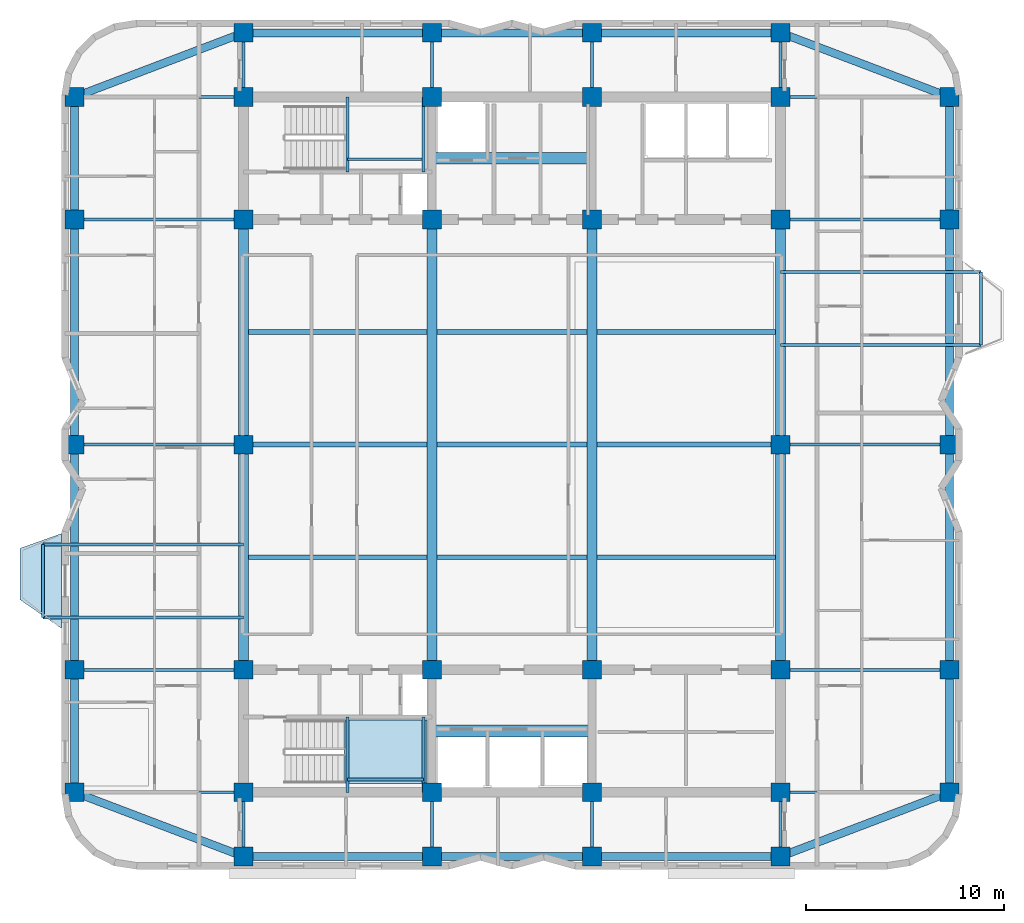
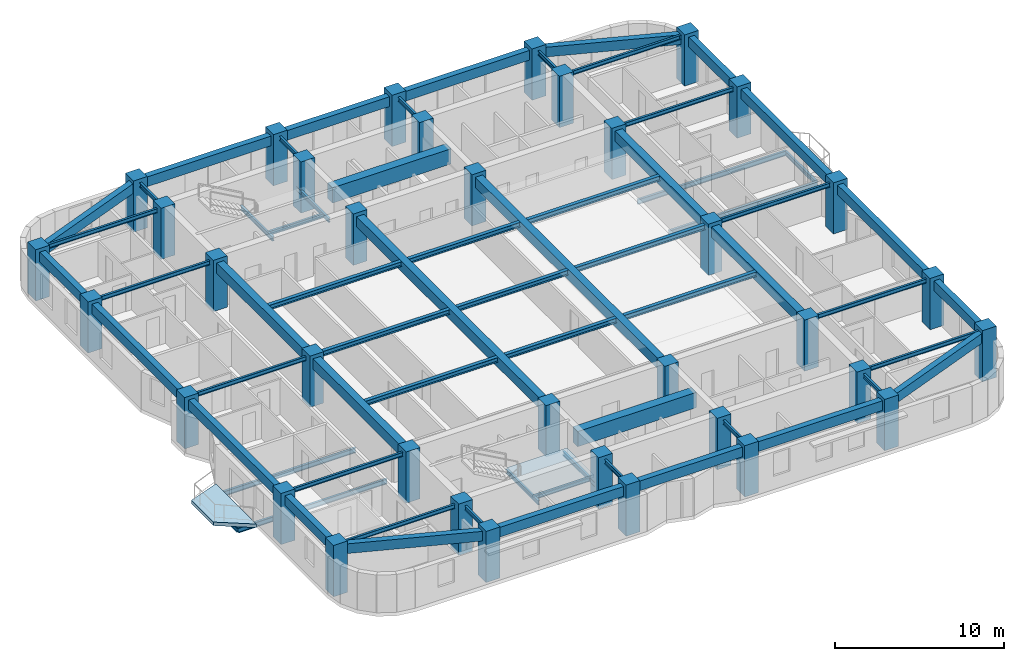
# One storey, part 1 of 9: 65 beams, 36 columns, 2 slabs, 1 element without a shape of its own.
"""IFC4 building model written with IfcOpenShell, lengths in metres."""

import ifcopenshell
import ifcopenshell.guid

model = None  # the IFC model being written
_history = None  # IfcOwnerHistory: only IFC2X3 demands one
_inside = {}  # id of a spatial element -> (the spatial element, [elements in it])
_under = {}  # id of a project, library or spatial element -> (it, [spatial elements below it])
_declared = {}  # id of a project -> (the project, [libraries it declares])
_typed = {}  # id of a type object -> (the type object, [elements of that type])
_made_of = {}  # id of a material, layer set ... -> (it, [elements and type objects made of it])


def new_model(schema):
    """Start an empty IFC model of exactly this schema.

    Asked for "IFC4X3", IfcOpenShell would pick the latest addendum, in which some entities
    have other attributes; the version numbers below select the first issue.
    IFC2X3 requires an IfcOwnerHistory on every rooted entity: one is made here for all.
    """
    global model, _history
    if schema == "IFC4X3":
        model = ifcopenshell.file(schema_version=(4, 3, 0, 0))
    else:
        model = ifcopenshell.file(schema=schema)
    _inside.clear()
    _under.clear()
    _declared.clear()
    _typed.clear()
    _made_of.clear()
    _history = None
    if model.schema == "IFC2X3":
        org = make("IfcOrganization", Name="unknown")
        user = make(
            "IfcPersonAndOrganization",
            ThePerson=make("IfcPerson", FamilyName="unknown"),
            TheOrganization=org,
        )
        app = make(
            "IfcApplication",
            ApplicationDeveloper=org,
            Version="unknown",
            ApplicationFullName="unknown",
            ApplicationIdentifier="unknown",
        )
        _history = make(
            "IfcOwnerHistory",
            OwningUser=user,
            OwningApplication=app,
            ChangeAction="ADDED",
            CreationDate=0,
        )
    return model


def make(cls, **values):
    """One entity of the class cls with the attributes given. An attribute that is None is left unset."""
    return model.create_entity(
        cls, **{name: value for name, value in values.items() if value is not None}
    )


def rooted(cls, **values):
    """An entity with a GlobalId (a new one), such as an element, a storey or a relation."""
    return make(cls, GlobalId=ifcopenshell.guid.new(), OwnerHistory=_history, **values)


def si_unit(unit_type, name, prefix=None):
    """IfcSIUnit, for example si_unit("LENGTHUNIT", "METRE", prefix="MILLI")."""
    return make("IfcSIUnit", UnitType=unit_type, Prefix=prefix, Name=name)


def assignment(units):
    """IfcUnitAssignment: the units of a project."""
    return None if units is None else make("IfcUnitAssignment", Units=units)


def point(xyz):
    """IfcCartesianPoint."""
    return None if xyz is None else make("IfcCartesianPoint", Coordinates=xyz)


def direction(xyz):
    """IfcDirection."""
    return None if xyz is None else make("IfcDirection", DirectionRatios=xyz)


def frame(location, z_axis=None, x_axis=None):
    """IfcAxis2Placement3D, a coordinate frame: its origin and axes. An axis left out is left unset."""
    return make(
        "IfcAxis2Placement3D",
        Location=point(location),
        Axis=direction(z_axis),
        RefDirection=direction(x_axis),
    )


def frame_2d(location, x_axis=None):
    """IfcAxis2Placement2D, a coordinate frame in the plane: its origin and x axis."""
    return make(
        "IfcAxis2Placement2D", Location=point(location), RefDirection=direction(x_axis)
    )


def origin():
    """The frame at (0, 0, 0) with its axes left unset."""
    return frame((0.0, 0.0, 0.0))


def origin_2d():
    """The frame at (0, 0) in the plane with its x axis left unset."""
    return frame_2d((0.0, 0.0))


def place(relative_to, where):
    """IfcLocalPlacement: puts the frame where relative to a parent placement (None: the world)."""
    return make(
        "IfcLocalPlacement", PlacementRelTo=relative_to, RelativePlacement=where
    )


def context(
    kind, dimensions, precision=None, world=None, true_north=None, identifier=None
):
    """IfcGeometricRepresentationContext, for example the 3D "Model" context."""
    return make(
        "IfcGeometricRepresentationContext",
        ContextIdentifier=identifier,
        ContextType=kind,
        CoordinateSpaceDimension=dimensions,
        Precision=precision,
        WorldCoordinateSystem=world,
        TrueNorth=true_north,
    )


def subcontext(parent, identifier, kind, view, scale=None):
    """IfcGeometricRepresentationSubContext, for example "Body" below "Model"."""
    return make(
        "IfcGeometricRepresentationSubContext",
        ContextIdentifier=identifier,
        ContextType=kind,
        ParentContext=parent,
        TargetScale=scale,
        TargetView=view,
    )


def project(units=None, contexts=None):
    """IfcProject with its units and contexts."""
    return rooted(
        "IfcProject",
        Name="project",
        RepresentationContexts=contexts,
        UnitsInContext=assignment(units),
    )


def spatial(cls, under=None, at=None, **own):
    """A site, building, storey or space (cls), placed at a placement, below another one or the project."""
    s = rooted(cls, ObjectPlacement=at, **own)
    if under is not None:
        _under.setdefault(under.id(), (under, []))[1].append(s)
    return s


def polyline(points):
    """IfcPolyline through the points."""
    return make("IfcPolyline", Points=[point(p) for p in points])


def profile(cls, at=None, kind="AREA", **sizes):
    """A parametric profile (cls). Its sizes go by their IFC names, for example OverallWidth=200.0."""
    return make(cls, ProfileType=kind, Position=at, **sizes)


def rectangle(**sizes):
    """IfcRectangleProfileDef."""
    return profile("IfcRectangleProfileDef", **sizes)


def i_section(**sizes):
    """IfcIShapeProfileDef."""
    return profile("IfcIShapeProfileDef", **sizes)


def outline(outer, holes=None, kind="AREA"):
    """IfcArbitraryClosedProfileDef: a profile drawn as a closed curve; with holes, ...WithVoids."""
    if holes is None:
        return make("IfcArbitraryClosedProfileDef", ProfileType=kind, OuterCurve=outer)
    return make(
        "IfcArbitraryProfileDefWithVoids",
        ProfileType=kind,
        OuterCurve=outer,
        InnerCurves=holes,
    )


def extrude(swept, where, along, depth):
    """IfcExtrudedAreaSolid: the profile swept, set in the frame where, extruded along a direction by depth."""
    return make(
        "IfcExtrudedAreaSolid",
        SweptArea=swept,
        Position=where,
        ExtrudedDirection=direction(along),
        Depth=depth,
    )


def shape(context_of_items, identifier, shape_type, items):
    """IfcShapeRepresentation: the items that make up one representation, for example the "Body"."""
    return make(
        "IfcShapeRepresentation",
        ContextOfItems=context_of_items,
        RepresentationIdentifier=identifier,
        RepresentationType=shape_type,
        Items=items,
    )


def material(Name=None, Category=None):
    """IfcMaterial."""
    return make("IfcMaterial", Name=Name, Category=Category)


def layer(
    of_material, thickness, ventilated=None, Name=None, Category=None, Priority=None
):
    """IfcMaterialLayer: one layer of a wall or slab, of a material (None: an air gap)."""
    return make(
        "IfcMaterialLayer",
        Material=of_material,
        LayerThickness=thickness,
        IsVentilated=ventilated,
        Name=Name,
        Category=Category,
        Priority=Priority,
    )


def layer_set(layers, Name=None):
    """IfcMaterialLayerSet."""
    return make("IfcMaterialLayerSet", MaterialLayers=layers, LayerSetName=Name)


def material_profile(
    of_material, cross_section, Name=None, Category=None, Priority=None
):
    """IfcMaterialProfile: a cross section and its material."""
    return make(
        "IfcMaterialProfile",
        Name=Name,
        Material=of_material,
        Profile=cross_section,
        Priority=Priority,
        Category=Category,
    )


def profile_set(profiles, Name=None, composite=None):
    """IfcMaterialProfileSet."""
    return make(
        "IfcMaterialProfileSet",
        Name=Name,
        MaterialProfiles=profiles,
        CompositeProfile=composite,
    )


def made_of(thing, what):
    """Note that an element or type object is made of a material, layer set ...; save() writes the relation."""
    if what is not None:
        _made_of.setdefault(what.id(), (what, []))[1].append(thing)
    return thing


def type_object(cls, material=None, **own):
    """A type object (cls), such as IfcWallType, which elements share."""
    return made_of(rooted(cls, **own), material)


def element(
    cls,
    number,
    at=None,
    inside=None,
    cuts=None,
    type_object=None,
    material=None,
    context=None,
    identifier="Body",
    shape_type=None,
    held_by="IfcProductDefinitionShape",
    body=None,
    shapes=None,
    **own,
):
    """One element of the class cls, such as IfcWall. Its Tag is "e" and its number.

    at: its placement. inside: the storey or other place that contains it. cuts: it is an
    opening in that element (IfcRelVoidsElement). A single representation is given by context,
    identifier, shape_type and body (its items); several are given by shapes. held_by: the class
    of the entity that holds the representations. save() writes the other relations.
    """
    e = rooted(cls, Tag="e%d" % number, ObjectPlacement=at, **own)
    if body is not None:
        shapes = [shape(context, identifier, shape_type, body)]
    if shapes is not None:
        e.Representation = make(held_by, Representations=shapes)
    if inside is not None:
        _inside.setdefault(inside.id(), (inside, []))[1].append(e)
    if cuts is not None:
        rooted(
            "IfcRelVoidsElement", RelatingBuildingElement=cuts, RelatedOpeningElement=e
        )
    if type_object is not None:
        _typed.setdefault(type_object.id(), (type_object, []))[1].append(e)
    return made_of(e, material)


def aggregate(whole, parts):
    """IfcRelAggregates: a whole, such as a stair, and the parts it consists of."""
    return rooted("IfcRelAggregates", RelatingObject=whole, RelatedObjects=parts)


def save(model, path):
    """Write the relations noted so far, then the file.

    IfcRelAggregates (storeys below a building ...), IfcRelContainedInSpatialStructure (elements
    in a storey), IfcRelDefinesByType, IfcRelAssociatesMaterial and IfcRelDeclares: one each for
    every whole, place, type object, material and project.
    """
    for whole, parts in _under.values():
        aggregate(whole, parts)
    for where, things in _inside.values():
        rooted(
            "IfcRelContainedInSpatialStructure",
            RelatedElements=things,
            RelatingStructure=where,
        )
    for kind, things in _typed.values():
        rooted("IfcRelDefinesByType", RelatedObjects=things, RelatingType=kind)
    for what, things in _made_of.values():
        rooted("IfcRelAssociatesMaterial", RelatedObjects=things, RelatingMaterial=what)
    for by, libraries in _declared.values():
        rooted("IfcRelDeclares", RelatingContext=by, RelatedDefinitions=libraries)
    model.write(path)


model = new_model("IFC4")

# Units and contexts
model_context = context("Model", 3, precision=1e-05, world=origin(), true_north=direction((0.0, 1.0)))
body_context = subcontext(model_context, "Body", "Model", "MODEL_VIEW")
ifc_project = project(units=[si_unit("LENGTHUNIT", "METRE"), si_unit("AREAUNIT", "SQUARE_METRE"), si_unit("VOLUMEUNIT", "CUBIC_METRE"), si_unit("PLANEANGLEUNIT", "RADIAN"), si_unit("MASSUNIT", "GRAM", prefix="KILO")], contexts=[model_context])

# Site, building, storey
site_placement = place(None, origin())
site = spatial("IfcSite", under=ifc_project, at=site_placement, CompositionType="ELEMENT")
building_placement = place(site_placement, origin())
building = spatial("IfcBuilding", under=site, at=building_placement, Name="Svetorya Sky Lyceum", CompositionType="ELEMENT")
storey_placement = place(building_placement, frame((0.0, 0.0, 155.199951171875)))
storey = spatial("IfcBuildingStorey", under=building, at=storey_placement, Name="L38", CompositionType="ELEMENT", Elevation=155.199951171875)

# Columns
ifc_material_1 = material(Name="Concrete C50/60", Category="concrete")
ifc_material_profile_1 = material_profile(ifc_material_1, rectangle(XDim=0.949951171875, YDim=0.949951171875, at=origin_2d()), Name="RC COL 950x950")
ifc_profile_set_1 = profile_set([ifc_material_profile_1], Name="Concrete C50/60")
column_type = type_object("IfcColumnType", Name="COL-RC-950", PredefinedType="COLUMN", material=ifc_profile_set_1)
for number, where, z_axis, x_axis, name in (
    (1, (25.60009765625, 10.60009765625, 0.0), (0.0, 0.0, 1.0), (1.0, 0.0, 0.0), "L38 Core Column CS-11"),
    (2, (25.60009765625, 16.800048828125, 0.0), (0.0, 0.0, 1.0), (1.0, 0.0, 0.0), "L38 Core Column CS-12"),
    (3, (35.14990234375, 10.60009765625, 0.0), (0.0, 0.0, 1.0), (1.0, 0.0, 0.0), "L38 Core Column CS-21"),
    (4, (35.14990234375, 16.800048828125, 0.0), (0.0, 0.0, 1.0), (1.0, 0.0, 0.0), "L38 Core Column CS-22"),
    (5, (43.25, 10.60009765625, 0.0), (0.0, 0.0, 1.0), (1.0, 0.0, 0.0), "L38 Core Column CS-31"),
    (6, (43.25, 16.800048828125, 0.0), (0.0, 0.0, 1.0), (1.0, 0.0, 0.0), "L38 Core Column CS-32"),
    (7, (52.800048828125, 10.60009765625, 0.0), (0.0, 0.0, 1.0), (1.0, 0.0, 0.0), "L38 Core Column CS-41"),
    (8, (52.800048828125, 16.800048828125, 0.0), (0.0, 0.0, 1.0), (1.0, 0.0, 0.0), "L38 Core Column CS-42"),
    (9, (25.60009765625, 39.60009765625, 0.0), (0.0, 0.0, 1.0), (1.0, 0.0, 0.0), "L38 Core Column CN-11"),
    (10, (25.60009765625, 45.800048828125, 0.0), (0.0, 0.0, 1.0), (1.0, 0.0, 0.0), "L38 Core Column CN-12"),
    (11, (35.14990234375, 39.60009765625, 0.0), (0.0, 0.0, 1.0), (1.0, 0.0, 0.0), "L38 Core Column CN-21"),
    (12, (35.14990234375, 45.800048828125, 0.0), (0.0, 0.0, 1.0), (1.0, 0.0, 0.0), "L38 Core Column CN-22"),
    (13, (43.25, 39.60009765625, 0.0), (0.0, 0.0, 1.0), (1.0, 0.0, 0.0), "L38 Core Column CN-31"),
    (14, (43.25, 45.800048828125, 0.0), (0.0, 0.0, 1.0), (1.0, 0.0, 0.0), "L38 Core Column CN-32"),
    (15, (52.800048828125, 39.60009765625, 0.0), (0.0, 0.0, 1.0), (1.0, 0.0, 0.0), "L38 Core Column CN-41"),
    (16, (52.800048828125, 45.800048828125, 0.0), (0.0, 0.0, 1.0), (1.0, 0.0, 0.0), "L38 Core Column CN-42"),
    (17, (25.60009765625, 28.199951171875, 0.0), (0.0, 0.0, 1.0), (1.0, 0.0, 0.0), "L38 Core Column CM-W"),
    (18, (52.800048828125, 28.199951171875, 0.0), (0.0, 0.0, 1.0), (1.0, 0.0, 0.0), "L38 Core Column CM-E"),
    (19, (25.60009765625, 7.35009765625, 0.0), (0.0, 0.0, 1.0), (1.0, 0.0, 0.0), "L38 Perimeter Column S1"),
    (20, (25.60009765625, 49.050048828125, 0.0), (0.0, 0.0, 1.0), (1.0, 0.0, 0.0), "L38 Perimeter Column N1"),
    (21, (35.14990234375, 7.35009765625, 0.0), (0.0, 0.0, 1.0), (1.0, 0.0, 0.0), "L38 Perimeter Column S2"),
    (22, (35.14990234375, 49.050048828125, 0.0), (0.0, 0.0, 1.0), (1.0, 0.0, 0.0), "L38 Perimeter Column N2"),
    (23, (43.25, 7.35009765625, 0.0), (0.0, 0.0, 1.0), (1.0, 0.0, 0.0), "L38 Perimeter Column S3"),
    (24, (43.25, 49.050048828125, 0.0), (0.0, 0.0, 1.0), (1.0, 0.0, 0.0), "L38 Perimeter Column N3"),
    (25, (52.800048828125, 7.35009765625, 0.0), (0.0, 0.0, 1.0), (1.0, 0.0, 0.0), "L38 Perimeter Column S4"),
    (26, (52.800048828125, 49.050048828125, 0.0), (0.0, 0.0, 1.0), (1.0, 0.0, 0.0), "L38 Perimeter Column N4"),
    (27, (17.050048828125, 10.60009765625, 0.0), (0.0, 0.0, 1.0), (1.0, 0.0, 0.0), "L38 Perimeter Column W1"),
    (28, (61.35009765625, 10.60009765625, 0.0), (0.0, 0.0, 1.0), (1.0, 0.0, 0.0), "L38 Perimeter Column E1"),
    (29, (17.050048828125, 16.800048828125, 0.0), (0.0, 0.0, 1.0), (1.0, 0.0, 0.0), "L38 Perimeter Column W2"),
    (30, (61.35009765625, 16.800048828125, 0.0), (0.0, 0.0, 1.0), (1.0, 0.0, 0.0), "L38 Perimeter Column E2"),
    (31, (17.050048828125, 28.199951171875, 0.0), (0.0, 0.0, 1.0), (1.0, 0.0, 0.0), "L38 Perimeter Column W3"),
    (32, (61.35009765625, 28.199951171875, 0.0), (0.0, 0.0, 1.0), (1.0, 0.0, 0.0), "L38 Perimeter Column E3"),
    (33, (17.050048828125, 39.60009765625, 0.0), (0.0, 0.0, 1.0), (1.0, 0.0, 0.0), "L38 Perimeter Column W4"),
    (34, (61.35009765625, 39.60009765625, 0.0), (0.0, 0.0, 1.0), (1.0, 0.0, 0.0), "L38 Perimeter Column E4"),
    (35, (17.050048828125, 45.800048828125, 0.0), (0.0, 0.0, 1.0), (1.0, 0.0, 0.0), "L38 Perimeter Column W5"),
    (36, (61.35009765625, 45.800048828125, 0.0), (0.0, 0.0, 1.0), (1.0, 0.0, 0.0), "L38 Perimeter Column E5"),
):
    element("IfcColumn", number, at=place(storey_placement, frame(where, z_axis=z_axis, x_axis=x_axis)), inside=storey, type_object=column_type, Name=name, PredefinedType="COLUMN", context=body_context, shape_type="SweptSolid", body=[
        extrude(rectangle(XDim=0.949951171875, YDim=0.949951171875, at=origin_2d()), origin(), (0.0, 0.0, 1.0), 3.699951171875),
    ])

# Beams
ifc_material_2 = material(Name="Concrete C60/75", Category="concrete")
ifc_material_profile_2 = material_profile(ifc_material_2, rectangle(XDim=0.60009765625, YDim=1.10009765625, at=origin_2d()), Name="RC COUPLING 600x1100")
ifc_profile_set_2 = profile_set([ifc_material_profile_2], Name="Concrete C60/75")
beam_type_1 = type_object("IfcBeamType", Name="BM-CPL-1100", PredefinedType="LINTEL", material=ifc_profile_set_2)
for number, where, z_axis, x_axis, name in (
    (37, (35.14990234375, 13.699951171875, 2.89013671875), (1.0, 0.0, 0.0), (0.0, 1.0, 0.0), "L38 SC Core Coupling Beam"),
    (38, (35.14990234375, 42.699951171875, 2.89013671875), (1.0, 0.0, 0.0), (0.0, 1.0, 0.0), "L38 NC Core Coupling Beam"),
):
    element("IfcBeam", number, at=place(storey_placement, frame(where, z_axis=z_axis, x_axis=x_axis)), inside=storey, type_object=beam_type_1, Name=name, PredefinedType="LINTEL", context=body_context, shape_type="SweptSolid", body=[
        extrude(rectangle(XDim=0.60009765625, YDim=1.10009765625, at=origin_2d()), origin(), (0.0, 0.0, 1.0), 8.10009765625),
    ])
ifc_material_profile_3 = material_profile(ifc_material_1, rectangle(XDim=0.5, YDim=0.75, at=origin_2d()), Name="RC BEAM 500x750")
ifc_profile_set_3 = profile_set([ifc_material_profile_3], Name="Concrete C50/60")
beam_type_2 = type_object("IfcBeamType", Name="BM-RC-750", PredefinedType="BEAM", material=ifc_profile_set_3)
beam_1_placement = place(storey_placement, frame((25.60009765625, 16.800048828125, 3.06494140625), z_axis=(0.0, 1.0, 0.0), x_axis=(-1.0, 0.0, 0.0)))
element("IfcBeam", 39, at=beam_1_placement, inside=storey, type_object=beam_type_2, Name="L38 Central Bay Primary Girder CG-1A", PredefinedType="BEAM", context=body_context, shape_type="SweptSolid", body=[
    extrude(rectangle(XDim=0.5, YDim=0.75, at=origin_2d()), origin(), (0.0, 0.0, 1.0), 11.39990234375),
])
beam_2_placement = place(storey_placement, frame((25.60009765625, 28.199951171875, 3.06494140625), z_axis=(0.0, 1.0, 0.0), x_axis=(-1.0, 0.0, 0.0)))
element("IfcBeam", 40, at=beam_2_placement, inside=storey, type_object=beam_type_2, Name="L38 Central Bay Primary Girder CG-1B", PredefinedType="BEAM", context=body_context, shape_type="SweptSolid", body=[
    extrude(rectangle(XDim=0.5, YDim=0.75, at=origin_2d()), origin(), (0.0, 0.0, 1.0), 11.400146484375),
])
for number, where, z_axis, x_axis, name in (
    (41, (35.14990234375, 16.800048828125, 3.06494140625), (0.0, 1.0, 0.0), (-1.0, 0.0, 0.0), "L38 Central Bay Primary Girder CG-2"),
    (42, (43.25, 16.800048828125, 3.06494140625), (0.0, 1.0, 0.0), (-1.0, 0.0, 0.0), "L38 Central Bay Primary Girder CG-3"),
):
    element("IfcBeam", number, at=place(storey_placement, frame(where, z_axis=z_axis, x_axis=x_axis)), inside=storey, type_object=beam_type_2, Name=name, PredefinedType="BEAM", context=body_context, shape_type="SweptSolid", body=[
        extrude(rectangle(XDim=0.5, YDim=0.75, at=origin_2d()), origin(), (0.0, 0.0, 1.0), 22.800048828125),
    ])
beam_3_placement = place(storey_placement, frame((52.800048828125, 16.800048828125, 3.06494140625), z_axis=(0.0, 1.0, 0.0), x_axis=(-1.0, 0.0, 0.0)))
element("IfcBeam", 43, at=beam_3_placement, inside=storey, type_object=beam_type_2, Name="L38 Central Bay Primary Girder CG-4A", PredefinedType="BEAM", context=body_context, shape_type="SweptSolid", body=[
    extrude(rectangle(XDim=0.5, YDim=0.75, at=origin_2d()), origin(), (0.0, 0.0, 1.0), 11.39990234375),
])
beam_4_placement = place(storey_placement, frame((52.800048828125, 28.199951171875, 3.06494140625), z_axis=(0.0, 1.0, 0.0), x_axis=(-1.0, 0.0, 0.0)))
element("IfcBeam", 44, at=beam_4_placement, inside=storey, type_object=beam_type_2, Name="L38 Central Bay Primary Girder CG-4B", PredefinedType="BEAM", context=body_context, shape_type="SweptSolid", body=[
    extrude(rectangle(XDim=0.5, YDim=0.75, at=origin_2d()), origin(), (0.0, 0.0, 1.0), 11.400146484375),
])
ifc_material_profile_4 = material_profile(ifc_material_1, rectangle(XDim=0.39990234375, YDim=0.699951171875, at=origin_2d()), Name="RC SPANDREL 400x700")
ifc_profile_set_4 = profile_set([ifc_material_profile_4], Name="Concrete C50/60")
beam_type_3 = type_object("IfcBeamType", Name="BM-SPN-700", PredefinedType="SPANDREL", material=ifc_profile_set_4)
beam_5_placement = place(storey_placement, frame((25.60009765625, 7.35009765625, 3.090087890625), z_axis=(1.0, 0.0, 0.0), x_axis=(0.0, 1.0, 0.0)))
element("IfcBeam", 45, at=beam_5_placement, inside=storey, type_object=beam_type_3, Name="L38 South Spandrel 1", PredefinedType="SPANDREL", context=body_context, shape_type="SweptSolid", body=[
    extrude(rectangle(XDim=0.39990234375, YDim=0.699951171875, at=origin_2d()), origin(), (0.0, 0.0, 1.0), 9.5498046875),
])
beam_6_placement = place(storey_placement, frame((35.14990234375, 7.35009765625, 3.090087890625), z_axis=(1.0, 0.0, 0.0), x_axis=(0.0, 1.0, 0.0)))
element("IfcBeam", 46, at=beam_6_placement, inside=storey, type_object=beam_type_3, Name="L38 South Spandrel 2", PredefinedType="SPANDREL", context=body_context, shape_type="SweptSolid", body=[
    extrude(rectangle(XDim=0.39990234375, YDim=0.699951171875, at=origin_2d()), origin(), (0.0, 0.0, 1.0), 8.10009765625),
])
beam_7_placement = place(storey_placement, frame((43.25, 7.35009765625, 3.090087890625), z_axis=(1.0, 0.0, 0.0), x_axis=(0.0, 1.0, 0.0)))
element("IfcBeam", 47, at=beam_7_placement, inside=storey, type_object=beam_type_3, Name="L38 South Spandrel 3", PredefinedType="SPANDREL", context=body_context, shape_type="SweptSolid", body=[
    extrude(rectangle(XDim=0.39990234375, YDim=0.699951171875, at=origin_2d()), origin(), (0.0, 0.0, 1.0), 9.550048828125),
])
beam_8_placement = place(storey_placement, frame((25.60009765625, 49.050048828125, 3.090087890625), z_axis=(1.0, 0.0, 0.0), x_axis=(0.0, 1.0, 0.0)))
element("IfcBeam", 48, at=beam_8_placement, inside=storey, type_object=beam_type_3, Name="L38 North Spandrel 1", PredefinedType="SPANDREL", context=body_context, shape_type="SweptSolid", body=[
    extrude(rectangle(XDim=0.39990234375, YDim=0.699951171875, at=origin_2d()), origin(), (0.0, 0.0, 1.0), 9.5498046875),
])
beam_9_placement = place(storey_placement, frame((35.14990234375, 49.050048828125, 3.090087890625), z_axis=(1.0, 0.0, 0.0), x_axis=(0.0, 1.0, 0.0)))
element("IfcBeam", 49, at=beam_9_placement, inside=storey, type_object=beam_type_3, Name="L38 North Spandrel 2", PredefinedType="SPANDREL", context=body_context, shape_type="SweptSolid", body=[
    extrude(rectangle(XDim=0.39990234375, YDim=0.699951171875, at=origin_2d()), origin(), (0.0, 0.0, 1.0), 8.10009765625),
])
beam_10_placement = place(storey_placement, frame((43.25, 49.050048828125, 3.090087890625), z_axis=(1.0, 0.0, 0.0), x_axis=(0.0, 1.0, 0.0)))
element("IfcBeam", 50, at=beam_10_placement, inside=storey, type_object=beam_type_3, Name="L38 North Spandrel 3", PredefinedType="SPANDREL", context=body_context, shape_type="SweptSolid", body=[
    extrude(rectangle(XDim=0.39990234375, YDim=0.699951171875, at=origin_2d()), origin(), (0.0, 0.0, 1.0), 9.550048828125),
])
for number, where, z_axis, x_axis, name in (
    (51, (25.60009765625, 7.35009765625, 3.090087890625), (-0.934747947367, 0.355311518099, 0.0), (-0.355311518099, -0.934747947367, 0.0), "L38 Corner Spandrel 1"),
    (52, (52.800048828125, 7.35009765625, 3.090087890625), (0.934747947367, 0.355311518099, 0.0), (-0.355311518099, 0.934747947367, 0.0), "L38 Corner Spandrel 2"),
    (53, (61.35009765625, 45.800048828125, 3.090087890625), (-0.934747947367, 0.355311518099, 0.0), (-0.355311518099, -0.934747947367, 0.0), "L38 Corner Spandrel 3"),
    (54, (17.050048828125, 45.800048828125, 3.090087890625), (0.934747947367, 0.355311518099, 0.0), (-0.355311518099, 0.934747947367, 0.0), "L38 Corner Spandrel 4"),
):
    element("IfcBeam", number, at=place(storey_placement, frame(where, z_axis=z_axis, x_axis=x_axis)), inside=storey, type_object=beam_type_3, Name=name, PredefinedType="SPANDREL", context=body_context, shape_type="SweptSolid", body=[
        extrude(rectangle(XDim=0.39990234375, YDim=0.699951171875, at=origin_2d()), origin(), (0.0, 0.0, 1.0), 9.14697265625),
    ])
beam_11_placement = place(storey_placement, frame((17.050048828125, 10.60009765625, 3.090087890625), z_axis=(0.0, 1.0, 0.0), x_axis=(-1.0, 0.0, 0.0)))
element("IfcBeam", 55, at=beam_11_placement, inside=storey, type_object=beam_type_3, Name="L38 West Spandrel 1", PredefinedType="SPANDREL", context=body_context, shape_type="SweptSolid", body=[
    extrude(rectangle(XDim=0.39990234375, YDim=0.699951171875, at=origin_2d()), origin(), (0.0, 0.0, 1.0), 6.199951171875),
])
beam_12_placement = place(storey_placement, frame((17.050048828125, 16.800048828125, 3.090087890625), z_axis=(0.0, 1.0, 0.0), x_axis=(-1.0, 0.0, 0.0)))
element("IfcBeam", 56, at=beam_12_placement, inside=storey, type_object=beam_type_3, Name="L38 West Spandrel 2", PredefinedType="SPANDREL", context=body_context, shape_type="SweptSolid", body=[
    extrude(rectangle(XDim=0.39990234375, YDim=0.699951171875, at=origin_2d()), origin(), (0.0, 0.0, 1.0), 11.39990234375),
])
beam_13_placement = place(storey_placement, frame((17.050048828125, 28.199951171875, 3.090087890625), z_axis=(0.0, 1.0, 0.0), x_axis=(-1.0, 0.0, 0.0)))
element("IfcBeam", 57, at=beam_13_placement, inside=storey, type_object=beam_type_3, Name="L38 West Spandrel 3", PredefinedType="SPANDREL", context=body_context, shape_type="SweptSolid", body=[
    extrude(rectangle(XDim=0.39990234375, YDim=0.699951171875, at=origin_2d()), origin(), (0.0, 0.0, 1.0), 11.400146484375),
])
for number, where, z_axis, x_axis, name in (
    (58, (17.050048828125, 39.60009765625, 3.090087890625), (0.0, 1.0, 0.0), (-1.0, 0.0, 0.0), "L38 West Spandrel 4"),
    (59, (61.35009765625, 10.60009765625, 3.090087890625), (0.0, 1.0, 0.0), (-1.0, 0.0, 0.0), "L38 East Spandrel 1"),
):
    element("IfcBeam", number, at=place(storey_placement, frame(where, z_axis=z_axis, x_axis=x_axis)), inside=storey, type_object=beam_type_3, Name=name, PredefinedType="SPANDREL", context=body_context, shape_type="SweptSolid", body=[
        extrude(rectangle(XDim=0.39990234375, YDim=0.699951171875, at=origin_2d()), origin(), (0.0, 0.0, 1.0), 6.199951171875),
    ])
beam_14_placement = place(storey_placement, frame((61.35009765625, 16.800048828125, 3.090087890625), z_axis=(0.0, 1.0, 0.0), x_axis=(-1.0, 0.0, 0.0)))
element("IfcBeam", 60, at=beam_14_placement, inside=storey, type_object=beam_type_3, Name="L38 East Spandrel 2", PredefinedType="SPANDREL", context=body_context, shape_type="SweptSolid", body=[
    extrude(rectangle(XDim=0.39990234375, YDim=0.699951171875, at=origin_2d()), origin(), (0.0, 0.0, 1.0), 11.39990234375),
])
beam_15_placement = place(storey_placement, frame((61.35009765625, 28.199951171875, 3.090087890625), z_axis=(0.0, 1.0, 0.0), x_axis=(-1.0, 0.0, 0.0)))
element("IfcBeam", 61, at=beam_15_placement, inside=storey, type_object=beam_type_3, Name="L38 East Spandrel 3", PredefinedType="SPANDREL", context=body_context, shape_type="SweptSolid", body=[
    extrude(rectangle(XDim=0.39990234375, YDim=0.699951171875, at=origin_2d()), origin(), (0.0, 0.0, 1.0), 11.400146484375),
])
beam_16_placement = place(storey_placement, frame((61.35009765625, 39.60009765625, 3.090087890625), z_axis=(0.0, 1.0, 0.0), x_axis=(-1.0, 0.0, 0.0)))
element("IfcBeam", 62, at=beam_16_placement, inside=storey, type_object=beam_type_3, Name="L38 East Spandrel 4", PredefinedType="SPANDREL", context=body_context, shape_type="SweptSolid", body=[
    extrude(rectangle(XDim=0.39990234375, YDim=0.699951171875, at=origin_2d()), origin(), (0.0, 0.0, 1.0), 6.199951171875),
])
ifc_material_3 = material(Name="Steel S355", Category="steel")
ifc_material_profile_5 = material_profile(ifc_material_3, i_section(OverallWidth=0.14990234375, OverallDepth=0.299072265625, WebThickness=0.006591796875, FlangeThickness=0.010498046875, at=origin_2d()), Name="GOST 30B2")
ifc_profile_set_5 = profile_set([ifc_material_profile_5], Name="Steel S355")
beam_type_4 = type_object("IfcBeamType", Name="BM-STL-30B2", PredefinedType="JOIST", material=ifc_profile_set_5)
for number, where, z_axis, x_axis, name in (
    (63, (15.449951171875, 19.449951171875, -0.4345703125), (0.0, 1.0, 0.0), (-1.0, 0.0, 0.0), "L38 Balcony Edge Tie BAL-W1"),
    (64, (62.949951171875, 33.25, -0.4345703125), (0.0, 1.0, 0.0), (-1.0, 0.0, 0.0), "L38 Balcony Edge Tie BAL-E1"),
):
    element("IfcBeam", number, at=place(storey_placement, frame(where, z_axis=z_axis, x_axis=x_axis)), inside=storey, type_object=beam_type_4, Name=name, PredefinedType="JOIST", context=body_context, shape_type="SweptSolid", body=[
        extrude(i_section(OverallWidth=0.14990234375, OverallDepth=0.299072265625, WebThickness=0.006591796875, FlangeThickness=0.010498046875, at=origin_2d()), origin(), (0.0, 0.0, 1.0), 3.699951171875),
    ])
for number, where, z_axis, x_axis, name in (
    (65, (17.050048828125, 10.60009765625, 3.29052734375), (1.0, 0.0, 0.0), (0.0, 1.0, 0.0), "L38 West Wing Floor Joist W1"),
    (66, (52.800048828125, 10.60009765625, 3.29052734375), (1.0, 0.0, 0.0), (0.0, 1.0, 0.0), "L38 East Wing Floor Joist E1"),
    (67, (17.050048828125, 16.800048828125, 3.29052734375), (1.0, 0.0, 0.0), (0.0, 1.0, 0.0), "L38 West Wing Floor Joist W2"),
    (68, (52.800048828125, 16.800048828125, 3.29052734375), (1.0, 0.0, 0.0), (0.0, 1.0, 0.0), "L38 East Wing Floor Joist E2"),
    (69, (17.050048828125, 28.199951171875, 3.29052734375), (1.0, 0.0, 0.0), (0.0, 1.0, 0.0), "L38 West Wing Floor Joist W3"),
    (70, (52.800048828125, 28.199951171875, 3.29052734375), (1.0, 0.0, 0.0), (0.0, 1.0, 0.0), "L38 East Wing Floor Joist E3"),
    (71, (17.050048828125, 39.60009765625, 3.29052734375), (1.0, 0.0, 0.0), (0.0, 1.0, 0.0), "L38 West Wing Floor Joist W4"),
    (72, (52.800048828125, 39.60009765625, 3.29052734375), (1.0, 0.0, 0.0), (0.0, 1.0, 0.0), "L38 East Wing Floor Joist E4"),
    (73, (17.050048828125, 45.800048828125, 3.29052734375), (1.0, 0.0, 0.0), (0.0, 1.0, 0.0), "L38 West Wing Floor Joist W5"),
    (74, (52.800048828125, 45.800048828125, 3.29052734375), (1.0, 0.0, 0.0), (0.0, 1.0, 0.0), "L38 East Wing Floor Joist E5"),
):
    element("IfcBeam", number, at=place(storey_placement, frame(where, z_axis=z_axis, x_axis=x_axis)), inside=storey, type_object=beam_type_4, Name=name, PredefinedType="JOIST", context=body_context, shape_type="SweptSolid", body=[
        extrude(i_section(OverallWidth=0.14990234375, OverallDepth=0.299072265625, WebThickness=0.006591796875, FlangeThickness=0.010498046875, at=origin_2d()), origin(), (0.0, 0.0, 1.0), 8.550048828125),
    ])
for number, where, z_axis, x_axis, name in (
    (75, (25.60009765625, 7.35009765625, 3.29052734375), (0.0, 1.0, 0.0), (-1.0, 0.0, 0.0), "L38 South Bay Floor Girder S1"),
    (76, (25.60009765625, 45.800048828125, 3.29052734375), (0.0, 1.0, 0.0), (-1.0, 0.0, 0.0), "L38 North Bay Floor Girder N1"),
    (77, (35.14990234375, 7.35009765625, 3.29052734375), (0.0, 1.0, 0.0), (-1.0, 0.0, 0.0), "L38 South Bay Floor Girder S2"),
    (78, (35.14990234375, 45.800048828125, 3.29052734375), (0.0, 1.0, 0.0), (-1.0, 0.0, 0.0), "L38 North Bay Floor Girder N2"),
    (79, (43.25, 7.35009765625, 3.29052734375), (0.0, 1.0, 0.0), (-1.0, 0.0, 0.0), "L38 South Bay Floor Girder S3"),
    (80, (43.25, 45.800048828125, 3.29052734375), (0.0, 1.0, 0.0), (-1.0, 0.0, 0.0), "L38 North Bay Floor Girder N3"),
    (81, (52.800048828125, 7.35009765625, 3.29052734375), (0.0, 1.0, 0.0), (-1.0, 0.0, 0.0), "L38 South Bay Floor Girder S4"),
    (82, (52.800048828125, 45.800048828125, 3.29052734375), (0.0, 1.0, 0.0), (-1.0, 0.0, 0.0), "L38 North Bay Floor Girder N4"),
):
    element("IfcBeam", number, at=place(storey_placement, frame(where, z_axis=z_axis, x_axis=x_axis)), inside=storey, type_object=beam_type_4, Name=name, PredefinedType="JOIST", context=body_context, shape_type="SweptSolid", body=[
        extrude(i_section(OverallWidth=0.14990234375, OverallDepth=0.299072265625, WebThickness=0.006591796875, FlangeThickness=0.010498046875, at=origin_2d()), origin(), (0.0, 0.0, 1.0), 3.25),
    ])
for number, where, z_axis, x_axis, name in (
    (83, (30.8798828125, 10.60009765625, 1.50048828125), (0.0, 1.0, 0.0), (-1.0, 0.0, 0.0), "L38 Stair ST-S Half-Landing Support Beam 44.1"),
    (84, (34.719970703125, 10.60009765625, 1.50048828125), (0.0, 1.0, 0.0), (-1.0, 0.0, 0.0), "L38 Stair ST-S Half-Landing Support Beam 44.2"),
):
    element("IfcBeam", number, at=place(storey_placement, frame(where, z_axis=z_axis, x_axis=x_axis)), inside=storey, type_object=beam_type_4, Name=name, PredefinedType="JOIST", context=body_context, shape_type="SweptSolid", body=[
        extrude(i_section(OverallWidth=0.14990234375, OverallDepth=0.299072265625, WebThickness=0.006591796875, FlangeThickness=0.010498046875, at=origin_2d()), origin(), (0.0, 0.0, 1.0), 3.7998046875),
    ])
beam_17_placement = place(storey_placement, frame((30.8798828125, 11.25, 1.50048828125), z_axis=(1.0, 0.0, 0.0), x_axis=(0.0, 1.0, 0.0)))
element("IfcBeam", 85, at=beam_17_placement, inside=storey, type_object=beam_type_4, Name="L38 Stair ST-S Half-Landing Cross Tie 44", PredefinedType="JOIST", context=body_context, shape_type="SweptSolid", body=[
    extrude(i_section(OverallWidth=0.14990234375, OverallDepth=0.299072265625, WebThickness=0.006591796875, FlangeThickness=0.010498046875, at=origin_2d()), origin(), (0.0, 0.0, 1.0), 3.840087890625),
])
for number, where, z_axis, x_axis, name in (
    (86, (30.8798828125, 42.0, 1.50048828125), (0.0, 1.0, 0.0), (-1.0, 0.0, 0.0), "L38 Stair ST-N Half-Landing Support Beam 44.1"),
    (87, (34.719970703125, 42.0, 1.50048828125), (0.0, 1.0, 0.0), (-1.0, 0.0, 0.0), "L38 Stair ST-N Half-Landing Support Beam 44.2"),
):
    element("IfcBeam", number, at=place(storey_placement, frame(where, z_axis=z_axis, x_axis=x_axis)), inside=storey, type_object=beam_type_4, Name=name, PredefinedType="JOIST", context=body_context, shape_type="SweptSolid", body=[
        extrude(i_section(OverallWidth=0.14990234375, OverallDepth=0.299072265625, WebThickness=0.006591796875, FlangeThickness=0.010498046875, at=origin_2d()), origin(), (0.0, 0.0, 1.0), 3.800048828125),
    ])
beam_18_placement = place(storey_placement, frame((30.8798828125, 42.64990234375, 1.50048828125), z_axis=(1.0, 0.0, 0.0), x_axis=(0.0, 1.0, 0.0)))
element("IfcBeam", 88, at=beam_18_placement, inside=storey, type_object=beam_type_4, Name="L38 Stair ST-N Half-Landing Cross Tie 44", PredefinedType="JOIST", context=body_context, shape_type="SweptSolid", body=[
    extrude(i_section(OverallWidth=0.14990234375, OverallDepth=0.299072265625, WebThickness=0.006591796875, FlangeThickness=0.010498046875, at=origin_2d()), origin(), (0.0, 0.0, 1.0), 3.840087890625),
])
ifc_material_profile_6 = material_profile(ifc_material_3, i_section(OverallWidth=0.155029296875, OverallDepth=0.34912109375, WebThickness=0.007080078125, FlangeThickness=0.011474609375, at=origin_2d()), Name="GOST 35B2")
ifc_profile_set_6 = profile_set([ifc_material_profile_6], Name="Steel S355")
beam_type_5 = type_object("IfcBeamType", Name="BM-STL-35B2", PredefinedType="JOIST", material=ifc_profile_set_6)
for number, where, z_axis, x_axis, name in (
    (89, (25.60009765625, 19.449951171875, -0.4345703125), (-1.0, 0.0, 0.0), (0.0, -1.0, 0.0), "L38 Balcony Cantilever Beam BAL-W1-1"),
    (90, (25.60009765625, 23.14990234375, -0.4345703125), (-1.0, 0.0, 0.0), (0.0, -1.0, 0.0), "L38 Balcony Cantilever Beam BAL-W1-2"),
):
    element("IfcBeam", number, at=place(storey_placement, frame(where, z_axis=z_axis, x_axis=x_axis)), inside=storey, type_object=beam_type_5, Name=name, PredefinedType="JOIST", context=body_context, shape_type="SweptSolid", body=[
        extrude(i_section(OverallWidth=0.155029296875, OverallDepth=0.34912109375, WebThickness=0.007080078125, FlangeThickness=0.011474609375, at=origin_2d()), origin(), (0.0, 0.0, 1.0), 10.150146484375),
    ])
for number, where, z_axis, x_axis, name in (
    (91, (52.800048828125, 33.25, -0.4345703125), (1.0, 0.0, 0.0), (0.0, 1.0, 0.0), "L38 Balcony Cantilever Beam BAL-E1-1"),
    (92, (52.800048828125, 36.949951171875, -0.4345703125), (1.0, 0.0, 0.0), (0.0, 1.0, 0.0), "L38 Balcony Cantilever Beam BAL-E1-2"),
):
    element("IfcBeam", number, at=place(storey_placement, frame(where, z_axis=z_axis, x_axis=x_axis)), inside=storey, type_object=beam_type_5, Name=name, PredefinedType="JOIST", context=body_context, shape_type="SweptSolid", body=[
        extrude(i_section(OverallWidth=0.155029296875, OverallDepth=0.34912109375, WebThickness=0.007080078125, FlangeThickness=0.011474609375, at=origin_2d()), origin(), (0.0, 0.0, 1.0), 10.14990234375),
    ])
ifc_material_profile_7 = material_profile(ifc_material_3, i_section(OverallWidth=0.25, OverallDepth=0.345947265625, WebThickness=0.009521484375, FlangeThickness=0.014404296875, at=origin_2d()), Name="GOST 35Sh2")
ifc_profile_set_7 = profile_set([ifc_material_profile_7], Name="Steel S355")
beam_type_6 = type_object("IfcBeamType", Name="BM-STL-35SH2", PredefinedType="BEAM", material=ifc_profile_set_7)
beam_19_placement = place(storey_placement, frame((25.85009765625, 22.5, 3.26708984375), z_axis=(1.0, 0.0, 0.0), x_axis=(0.0, 1.0, 0.0)))
element("IfcBeam", 93, at=beam_19_placement, inside=storey, type_object=beam_type_6, Name="L38 Central Floor Joist CJ-1.1", PredefinedType="BEAM", context=body_context, shape_type="SweptSolid", body=[
    extrude(i_section(OverallWidth=0.25, OverallDepth=0.345947265625, WebThickness=0.009521484375, FlangeThickness=0.014404296875, at=origin_2d()), origin(), (0.0, 0.0, 1.0), 9.0498046875),
])
beam_20_placement = place(storey_placement, frame((35.39990234375, 22.5, 3.26708984375), z_axis=(1.0, 0.0, 0.0), x_axis=(0.0, 1.0, 0.0)))
element("IfcBeam", 94, at=beam_20_placement, inside=storey, type_object=beam_type_6, Name="L38 Central Floor Joist CJ-1.2", PredefinedType="BEAM", context=body_context, shape_type="SweptSolid", body=[
    extrude(i_section(OverallWidth=0.25, OverallDepth=0.345947265625, WebThickness=0.009521484375, FlangeThickness=0.014404296875, at=origin_2d()), origin(), (0.0, 0.0, 1.0), 7.60009765625),
])
beam_21_placement = place(storey_placement, frame((43.5, 22.5, 3.26708984375), z_axis=(1.0, 0.0, 0.0), x_axis=(0.0, 1.0, 0.0)))
element("IfcBeam", 95, at=beam_21_placement, inside=storey, type_object=beam_type_6, Name="L38 Central Floor Joist CJ-1.3", PredefinedType="BEAM", context=body_context, shape_type="SweptSolid", body=[
    extrude(i_section(OverallWidth=0.25, OverallDepth=0.345947265625, WebThickness=0.009521484375, FlangeThickness=0.014404296875, at=origin_2d()), origin(), (0.0, 0.0, 1.0), 9.050048828125),
])
beam_22_placement = place(storey_placement, frame((25.85009765625, 28.199951171875, 3.26708984375), z_axis=(1.0, 0.0, 0.0), x_axis=(0.0, 1.0, 0.0)))
element("IfcBeam", 96, at=beam_22_placement, inside=storey, type_object=beam_type_6, Name="L38 Central Floor Joist CJ-2.1", PredefinedType="BEAM", context=body_context, shape_type="SweptSolid", body=[
    extrude(i_section(OverallWidth=0.25, OverallDepth=0.345947265625, WebThickness=0.009521484375, FlangeThickness=0.014404296875, at=origin_2d()), origin(), (0.0, 0.0, 1.0), 9.0498046875),
])
beam_23_placement = place(storey_placement, frame((35.39990234375, 28.199951171875, 3.26708984375), z_axis=(1.0, 0.0, 0.0), x_axis=(0.0, 1.0, 0.0)))
element("IfcBeam", 97, at=beam_23_placement, inside=storey, type_object=beam_type_6, Name="L38 Central Floor Joist CJ-2.2", PredefinedType="BEAM", context=body_context, shape_type="SweptSolid", body=[
    extrude(i_section(OverallWidth=0.25, OverallDepth=0.345947265625, WebThickness=0.009521484375, FlangeThickness=0.014404296875, at=origin_2d()), origin(), (0.0, 0.0, 1.0), 7.60009765625),
])
beam_24_placement = place(storey_placement, frame((43.5, 28.199951171875, 3.26708984375), z_axis=(1.0, 0.0, 0.0), x_axis=(0.0, 1.0, 0.0)))
element("IfcBeam", 98, at=beam_24_placement, inside=storey, type_object=beam_type_6, Name="L38 Central Floor Joist CJ-2.3", PredefinedType="BEAM", context=body_context, shape_type="SweptSolid", body=[
    extrude(i_section(OverallWidth=0.25, OverallDepth=0.345947265625, WebThickness=0.009521484375, FlangeThickness=0.014404296875, at=origin_2d()), origin(), (0.0, 0.0, 1.0), 9.050048828125),
])
beam_25_placement = place(storey_placement, frame((25.85009765625, 33.89990234375, 3.26708984375), z_axis=(1.0, 0.0, 0.0), x_axis=(0.0, 1.0, 0.0)))
element("IfcBeam", 99, at=beam_25_placement, inside=storey, type_object=beam_type_6, Name="L38 Central Floor Joist CJ-3.1", PredefinedType="BEAM", context=body_context, shape_type="SweptSolid", body=[
    extrude(i_section(OverallWidth=0.25, OverallDepth=0.345947265625, WebThickness=0.009521484375, FlangeThickness=0.014404296875, at=origin_2d()), origin(), (0.0, 0.0, 1.0), 9.0498046875),
])
beam_26_placement = place(storey_placement, frame((35.39990234375, 33.89990234375, 3.26708984375), z_axis=(1.0, 0.0, 0.0), x_axis=(0.0, 1.0, 0.0)))
element("IfcBeam", 100, at=beam_26_placement, inside=storey, type_object=beam_type_6, Name="L38 Central Floor Joist CJ-3.2", PredefinedType="BEAM", context=body_context, shape_type="SweptSolid", body=[
    extrude(i_section(OverallWidth=0.25, OverallDepth=0.345947265625, WebThickness=0.009521484375, FlangeThickness=0.014404296875, at=origin_2d()), origin(), (0.0, 0.0, 1.0), 7.60009765625),
])
beam_27_placement = place(storey_placement, frame((43.5, 33.89990234375, 3.26708984375), z_axis=(1.0, 0.0, 0.0), x_axis=(0.0, 1.0, 0.0)))
element("IfcBeam", 101, at=beam_27_placement, inside=storey, type_object=beam_type_6, Name="L38 Central Floor Joist CJ-3.3", PredefinedType="BEAM", context=body_context, shape_type="SweptSolid", body=[
    extrude(i_section(OverallWidth=0.25, OverallDepth=0.345947265625, WebThickness=0.009521484375, FlangeThickness=0.014404296875, at=origin_2d()), origin(), (0.0, 0.0, 1.0), 9.050048828125),
])

# Slab
ifc_material_4 = material(Name="Concrete C40/50", Category="concrete")
ifc_layer_1 = layer(ifc_material_4, 0.260009765625)
ifc_layer_set_1 = layer_set([ifc_layer_1], Name="Concrete C40/50")
slab_type_1 = type_object("IfcSlabType", Name="SL-BAL-260", PredefinedType="FLOOR", material=ifc_layer_set_1)
slab_1_placement = place(storey_placement, frame((0.0, 0.0, -0.260009765625)))
element("IfcSlab", 102, at=slab_1_placement, inside=storey, type_object=slab_type_1, Name="L38 Chamfered Loggia Balcony BAL-W1", PredefinedType="FLOOR", context=body_context, shape_type="SweptSolid", body=[
    extrude(outline(polyline([(16.389892578125, 18.89990234375), (16.389892578125, 23.699951171875), (14.2900390625, 22.949951171875), (14.2900390625, 20.35009765625), (16.389892578125, 18.89990234375)])), origin(), (0.0, 0.0, 1.0), 0.260009765625),
])

# Stair, slab
stair_type = type_object("IfcStairType", Name="STR-ST-S", PredefinedType="HALF_TURN_STAIR", material=ifc_material_4)
stair_placement = place(storey_placement, origin())
stair = element("IfcStair", 103, at=stair_placement, inside=storey, type_object=stair_type, Name="L38 South Core Smoke-Free Exit Stair N2", PredefinedType="HALF_TURN_STAIR")
ifc_layer_2 = layer(ifc_material_4, 0.199951171875)
ifc_layer_set_2 = layer_set([ifc_layer_2], Name="Concrete C40/50")
slab_type_2 = type_object("IfcSlabType", Name="SL-STR-LAND-200", PredefinedType="LANDING", material=ifc_layer_set_2)
slab_2_placement = place(storey_placement, frame((0.0, 0.0, 1.650146484375)))
slab_2 = element("IfcSlab", 104, at=slab_2_placement, type_object=slab_type_2, Name="ST-S landing 1", PredefinedType="LANDING", context=body_context, shape_type="SweptSolid", body=[
    extrude(outline(polyline([(30.699951171875, 11.050048828125), (34.89990234375, 11.050048828125), (34.89990234375, 14.25), (30.699951171875, 14.25), (30.699951171875, 11.050048828125)])), origin(), (0.0, 0.0, 1.0), 0.199951171875),
])
aggregate(stair, [slab_2])

save(model, "model.ifc")
